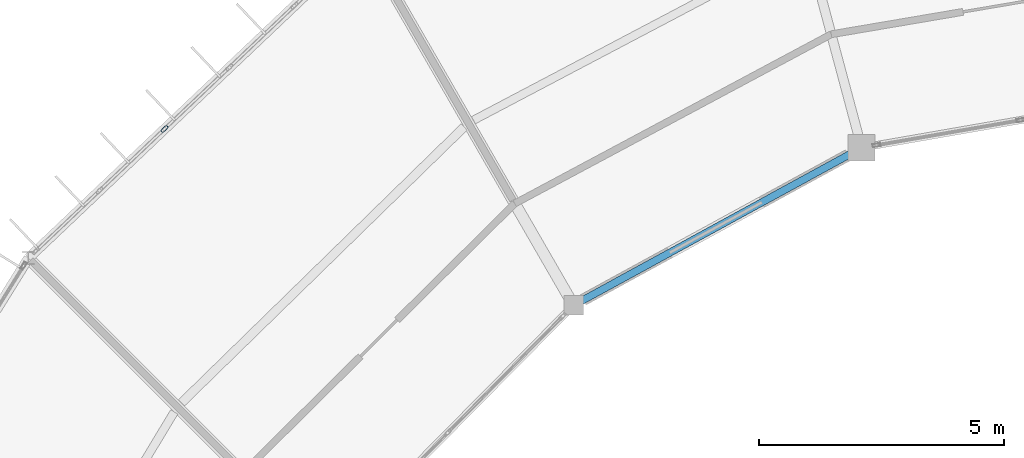
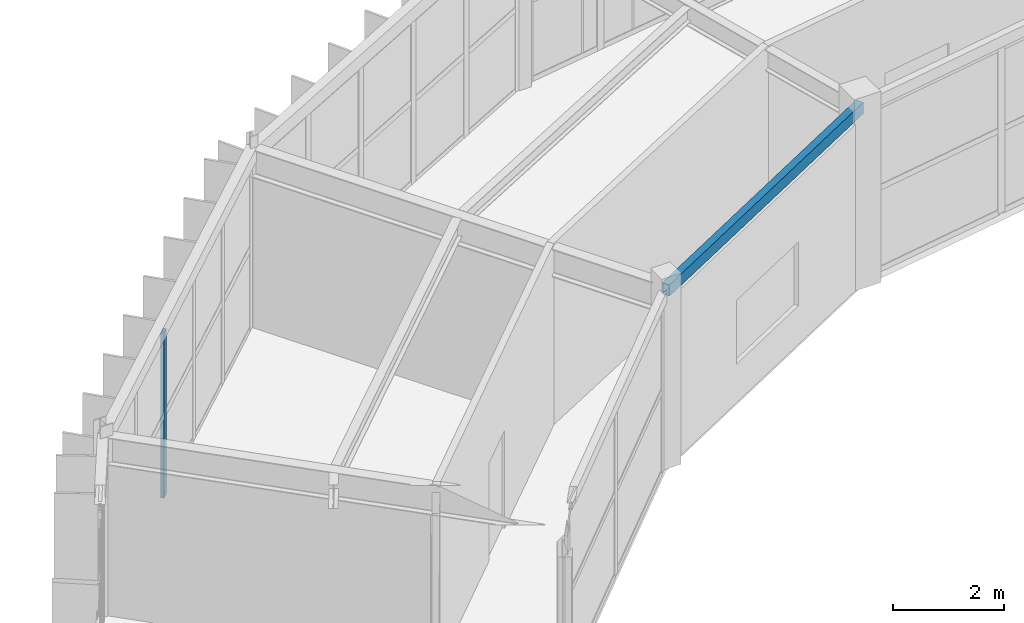
# One storey, part 70 of 134: 1 beam, 1 member, 1 element without a shape of its own.
"""IFC4 building model written with IfcOpenShell, lengths in metres."""

import ifcopenshell
import ifcopenshell.guid

model = None  # the IFC model being written
_history = None  # IfcOwnerHistory: only IFC2X3 demands one
_inside = {}  # id of a spatial element -> (the spatial element, [elements in it])
_under = {}  # id of a project, library or spatial element -> (it, [spatial elements below it])
_declared = {}  # id of a project -> (the project, [libraries it declares])
_typed = {}  # id of a type object -> (the type object, [elements of that type])
_made_of = {}  # id of a material, layer set ... -> (it, [elements and type objects made of it])


def new_model(schema):
    """Start an empty IFC model of exactly this schema.

    Asked for "IFC4X3", IfcOpenShell would pick the latest addendum, in which some entities
    have other attributes; the version numbers below select the first issue.
    IFC2X3 requires an IfcOwnerHistory on every rooted entity: one is made here for all.
    """
    global model, _history
    if schema == "IFC4X3":
        model = ifcopenshell.file(schema_version=(4, 3, 0, 0))
    else:
        model = ifcopenshell.file(schema=schema)
    _inside.clear()
    _under.clear()
    _declared.clear()
    _typed.clear()
    _made_of.clear()
    _history = None
    if model.schema == "IFC2X3":
        org = make("IfcOrganization", Name="unknown")
        user = make(
            "IfcPersonAndOrganization",
            ThePerson=make("IfcPerson", FamilyName="unknown"),
            TheOrganization=org,
        )
        app = make(
            "IfcApplication",
            ApplicationDeveloper=org,
            Version="unknown",
            ApplicationFullName="unknown",
            ApplicationIdentifier="unknown",
        )
        _history = make(
            "IfcOwnerHistory",
            OwningUser=user,
            OwningApplication=app,
            ChangeAction="ADDED",
            CreationDate=0,
        )
    return model


def make(cls, **values):
    """One entity of the class cls with the attributes given. An attribute that is None is left unset."""
    return model.create_entity(
        cls, **{name: value for name, value in values.items() if value is not None}
    )


def rooted(cls, **values):
    """An entity with a GlobalId (a new one), such as an element, a storey or a relation."""
    return make(cls, GlobalId=ifcopenshell.guid.new(), OwnerHistory=_history, **values)


def si_unit(unit_type, name, prefix=None):
    """IfcSIUnit, for example si_unit("LENGTHUNIT", "METRE", prefix="MILLI")."""
    return make("IfcSIUnit", UnitType=unit_type, Prefix=prefix, Name=name)


def assignment(units):
    """IfcUnitAssignment: the units of a project."""
    return None if units is None else make("IfcUnitAssignment", Units=units)


def point(xyz):
    """IfcCartesianPoint."""
    return None if xyz is None else make("IfcCartesianPoint", Coordinates=xyz)


def direction(xyz):
    """IfcDirection."""
    return None if xyz is None else make("IfcDirection", DirectionRatios=xyz)


def frame(location, z_axis=None, x_axis=None):
    """IfcAxis2Placement3D, a coordinate frame: its origin and axes. An axis left out is left unset."""
    return make(
        "IfcAxis2Placement3D",
        Location=point(location),
        Axis=direction(z_axis),
        RefDirection=direction(x_axis),
    )


def frame_2d(location, x_axis=None):
    """IfcAxis2Placement2D, a coordinate frame in the plane: its origin and x axis."""
    return make(
        "IfcAxis2Placement2D", Location=point(location), RefDirection=direction(x_axis)
    )


def origin():
    """The frame at (0, 0, 0) with its axes left unset."""
    return frame((0.0, 0.0, 0.0))


def origin_2d():
    """The frame at (0, 0) in the plane with its x axis left unset."""
    return frame_2d((0.0, 0.0))


def place(relative_to, where):
    """IfcLocalPlacement: puts the frame where relative to a parent placement (None: the world)."""
    return make(
        "IfcLocalPlacement", PlacementRelTo=relative_to, RelativePlacement=where
    )


def context(
    kind, dimensions, precision=None, world=None, true_north=None, identifier=None
):
    """IfcGeometricRepresentationContext, for example the 3D "Model" context."""
    return make(
        "IfcGeometricRepresentationContext",
        ContextIdentifier=identifier,
        ContextType=kind,
        CoordinateSpaceDimension=dimensions,
        Precision=precision,
        WorldCoordinateSystem=world,
        TrueNorth=true_north,
    )


def subcontext(parent, identifier, kind, view, scale=None):
    """IfcGeometricRepresentationSubContext, for example "Body" below "Model"."""
    return make(
        "IfcGeometricRepresentationSubContext",
        ContextIdentifier=identifier,
        ContextType=kind,
        ParentContext=parent,
        TargetScale=scale,
        TargetView=view,
    )


def project(units=None, contexts=None):
    """IfcProject with its units and contexts."""
    return rooted(
        "IfcProject",
        Name="project",
        RepresentationContexts=contexts,
        UnitsInContext=assignment(units),
    )


def spatial(cls, under=None, at=None, **own):
    """A site, building, storey or space (cls), placed at a placement, below another one or the project."""
    s = rooted(cls, ObjectPlacement=at, **own)
    if under is not None:
        _under.setdefault(under.id(), (under, []))[1].append(s)
    return s


def profile(cls, at=None, kind="AREA", **sizes):
    """A parametric profile (cls). Its sizes go by their IFC names, for example OverallWidth=200.0."""
    return make(cls, ProfileType=kind, Position=at, **sizes)


def hollow_rectangle(**sizes):
    """IfcRectangleHollowProfileDef."""
    return profile("IfcRectangleHollowProfileDef", **sizes)


def extrude(swept, where, along, depth):
    """IfcExtrudedAreaSolid: the profile swept, set in the frame where, extruded along a direction by depth."""
    return make(
        "IfcExtrudedAreaSolid",
        SweptArea=swept,
        Position=where,
        ExtrudedDirection=direction(along),
        Depth=depth,
    )


def shape(context_of_items, identifier, shape_type, items):
    """IfcShapeRepresentation: the items that make up one representation, for example the "Body"."""
    return make(
        "IfcShapeRepresentation",
        ContextOfItems=context_of_items,
        RepresentationIdentifier=identifier,
        RepresentationType=shape_type,
        Items=items,
    )


def material(Name=None, Category=None):
    """IfcMaterial."""
    return make("IfcMaterial", Name=Name, Category=Category)


def material_profile(
    of_material, cross_section, Name=None, Category=None, Priority=None
):
    """IfcMaterialProfile: a cross section and its material."""
    return make(
        "IfcMaterialProfile",
        Name=Name,
        Material=of_material,
        Profile=cross_section,
        Priority=Priority,
        Category=Category,
    )


def profile_set(profiles, Name=None, composite=None):
    """IfcMaterialProfileSet."""
    return make(
        "IfcMaterialProfileSet",
        Name=Name,
        MaterialProfiles=profiles,
        CompositeProfile=composite,
    )


def made_of(thing, what):
    """Note that an element or type object is made of a material, layer set ...; save() writes the relation."""
    if what is not None:
        _made_of.setdefault(what.id(), (what, []))[1].append(thing)
    return thing


def type_object(cls, material=None, **own):
    """A type object (cls), such as IfcWallType, which elements share."""
    return made_of(rooted(cls, **own), material)


def element(
    cls,
    number,
    at=None,
    inside=None,
    cuts=None,
    type_object=None,
    material=None,
    context=None,
    identifier="Body",
    shape_type=None,
    held_by="IfcProductDefinitionShape",
    body=None,
    shapes=None,
    **own,
):
    """One element of the class cls, such as IfcWall. Its Tag is "e" and its number.

    at: its placement. inside: the storey or other place that contains it. cuts: it is an
    opening in that element (IfcRelVoidsElement). A single representation is given by context,
    identifier, shape_type and body (its items); several are given by shapes. held_by: the class
    of the entity that holds the representations. save() writes the other relations.
    """
    e = rooted(cls, Tag="e%d" % number, ObjectPlacement=at, **own)
    if body is not None:
        shapes = [shape(context, identifier, shape_type, body)]
    if shapes is not None:
        e.Representation = make(held_by, Representations=shapes)
    if inside is not None:
        _inside.setdefault(inside.id(), (inside, []))[1].append(e)
    if cuts is not None:
        rooted(
            "IfcRelVoidsElement", RelatingBuildingElement=cuts, RelatedOpeningElement=e
        )
    if type_object is not None:
        _typed.setdefault(type_object.id(), (type_object, []))[1].append(e)
    return made_of(e, material)


def aggregate(whole, parts):
    """IfcRelAggregates: a whole, such as a stair, and the parts it consists of."""
    return rooted("IfcRelAggregates", RelatingObject=whole, RelatedObjects=parts)


def save(model, path):
    """Write the relations noted so far, then the file.

    IfcRelAggregates (storeys below a building ...), IfcRelContainedInSpatialStructure (elements
    in a storey), IfcRelDefinesByType, IfcRelAssociatesMaterial and IfcRelDeclares: one each for
    every whole, place, type object, material and project.
    """
    for whole, parts in _under.values():
        aggregate(whole, parts)
    for where, things in _inside.values():
        rooted(
            "IfcRelContainedInSpatialStructure",
            RelatedElements=things,
            RelatingStructure=where,
        )
    for kind, things in _typed.values():
        rooted("IfcRelDefinesByType", RelatedObjects=things, RelatingType=kind)
    for what, things in _made_of.values():
        rooted("IfcRelAssociatesMaterial", RelatedObjects=things, RelatingMaterial=what)
    for by, libraries in _declared.values():
        rooted("IfcRelDeclares", RelatingContext=by, RelatedDefinitions=libraries)
    model.write(path)


model = new_model("IFC4")

# Units and contexts
model_context = context("Model", 3, precision=1e-05, world=origin(), true_north=direction((0.0, 1.0)))
body_context = subcontext(model_context, "Body", "Model", "MODEL_VIEW")
ifc_project = project(units=[si_unit("LENGTHUNIT", "METRE"), si_unit("AREAUNIT", "SQUARE_METRE"), si_unit("VOLUMEUNIT", "CUBIC_METRE"), si_unit("PLANEANGLEUNIT", "RADIAN"), si_unit("MASSUNIT", "GRAM", prefix="KILO")], contexts=[model_context])

# Site, building, storey
site_placement = place(None, origin())
site = spatial("IfcSite", under=ifc_project, at=site_placement, CompositionType="ELEMENT")
building_placement = place(site_placement, origin())
building = spatial("IfcBuilding", under=site, at=building_placement, Name="Karori Crest Natural Sciences Institute", CompositionType="ELEMENT")
storey_placement = place(building_placement, frame((0.0, 0.0, 21.699951171875)))
storey = spatial("IfcBuildingStorey", under=building, at=storey_placement, Name="L05", CompositionType="ELEMENT", Elevation=21.699951171875)

# Beam
ifc_material_1 = material(Name="Hollow structural steel AS/NZS 1163 Grade C350", Category="steel")
ifc_material_profile_1 = material_profile(ifc_material_1, hollow_rectangle(XDim=0.14990234375, YDim=0.25, WallThickness=0.009033203125, at=origin_2d()), Name="RHS250x150x9")
ifc_profile_set_1 = profile_set([ifc_material_profile_1], Name="Hollow structural steel AS/NZS 1163 Grade C350")
beam_type = type_object("IfcBeamType", Name="BT-16", PredefinedType="SPANDREL", material=ifc_profile_set_1)
beam_placement = place(storey_placement, frame((60.084716796875, 81.002685546875, 3.7900390625), z_axis=(-0.877461157042, -0.479647701842, 0.0), x_axis=(0.479647701842, -0.877461157042, 0.0)))
element("IfcBeam", 1, at=beam_placement, inside=storey, type_object=beam_type, Name="Beam B-0568", PredefinedType="SPANDREL", context=body_context, shape_type="SweptSolid", body=[
    extrude(hollow_rectangle(XDim=0.14990234375, YDim=0.25, WallThickness=0.009033203125, at=origin_2d()), origin(), (0.0, 0.0, 1.0), 6.70654296875),
])

# Curtain wall, member
ifc_material_2 = material(Name="Anodised architectural aluminium 6063-T6", Category="aluminium")
curtain_wall_type = type_object("IfcCurtainWallType", Name="CWT-09", PredefinedType="NOTDEFINED", material=ifc_material_2)
curtain_wall_placement = place(storey_placement, origin())
curtain_wall = element("IfcCurtainWall", 2, at=curtain_wall_placement, inside=storey, type_object=curtain_wall_type, Name="Curtain wall CW-0184", PredefinedType="NOTDEFINED")
ifc_material_profile_2 = material_profile(ifc_material_2, hollow_rectangle(XDim=0.06494140625, YDim=0.159912109375, WallThickness=0.00390625, at=origin_2d()), Name="CWM160x65x4")
ifc_profile_set_2 = profile_set([ifc_material_profile_2], Name="Anodised architectural aluminium 6063-T6")
member_type = type_object("IfcMemberType", Name="CWM-01", PredefinedType="MULLION", material=ifc_profile_set_2)
member_placement = place(storey_placement, frame((45.844970703125, 81.386962890625, 0.0), z_axis=(0.0, 0.0, 1.0), x_axis=(-0.688250542104, 0.725473081026, 0.0)))
member = element("IfcMember", 3, at=member_placement, type_object=member_type, Name="CW-0184 mullion 3", PredefinedType="MULLION", context=body_context, shape_type="SweptSolid", body=[
    extrude(hollow_rectangle(XDim=0.06494140625, YDim=0.159912109375, WallThickness=0.00390625, at=origin_2d()), origin(), (0.0, 0.0, 1.0), 3.625),
])
aggregate(curtain_wall, [member])

save(model, "model.ifc")
